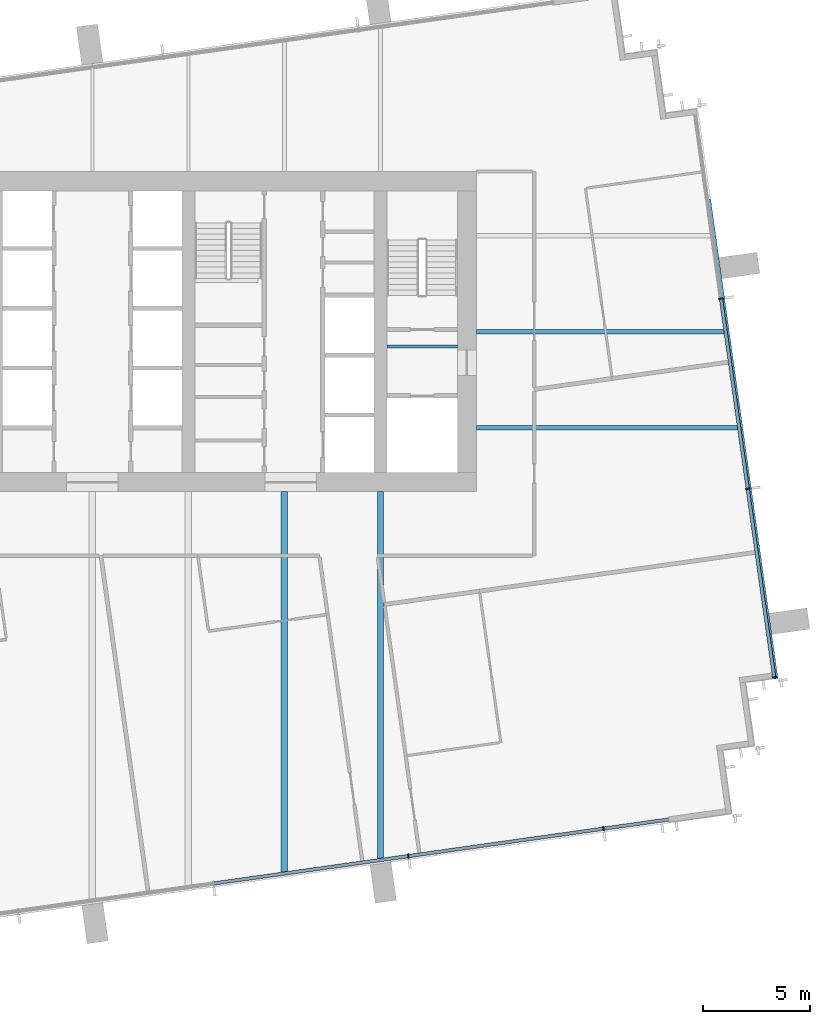
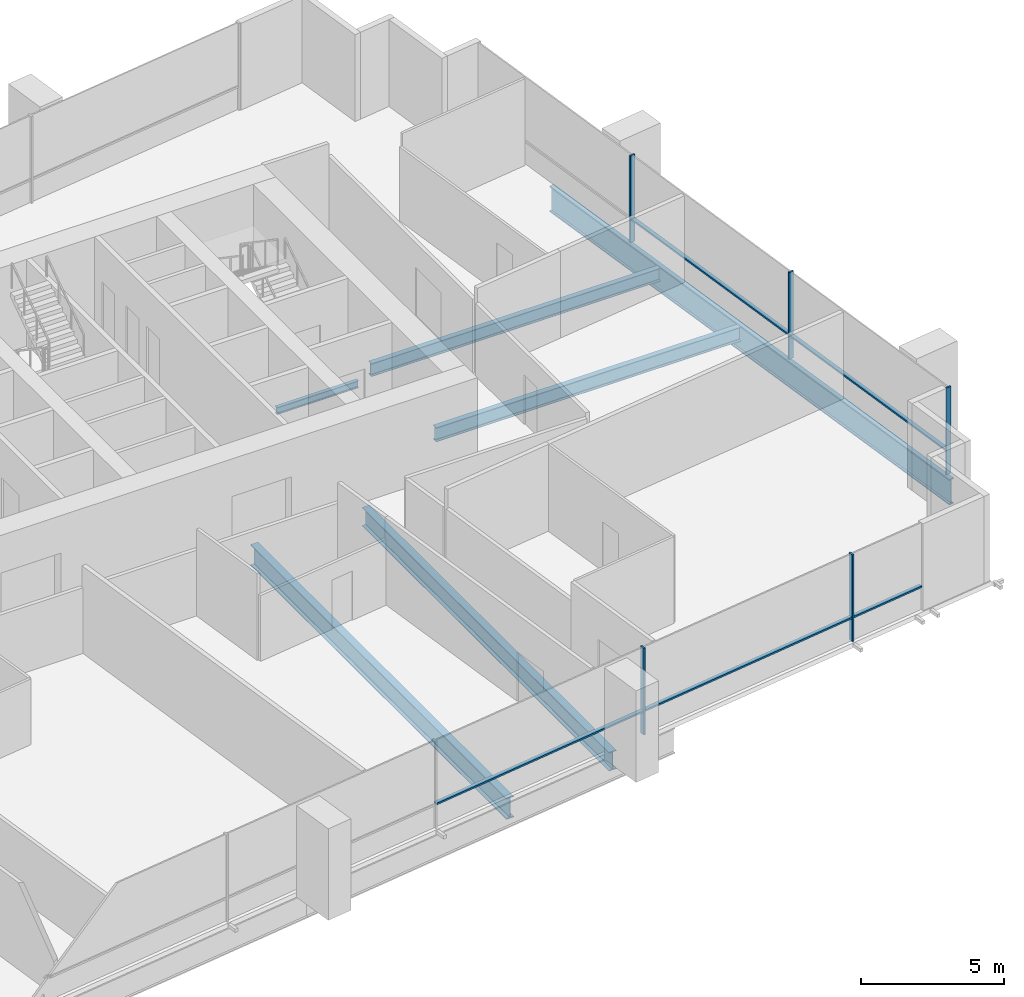
# One storey, part 5 of 13: 10 members, 6 beams, 2 elements without a shape of their own.
"""IFC4 building model written with IfcOpenShell, lengths in metres."""

from ifc_helpers import new_model, si_unit, direction, frame, origin, origin_2d, place, context, subcontext, project, spatial, rectangle, i_section, extrude, material, layer, layer_set, material_profile, profile_set, type_object, element, aggregate, save


model = new_model("IFC4")

# Units and contexts
model_context = context("Model", 3, precision=1e-05, world=origin(), true_north=direction((0.0, 1.0)))
body_context = subcontext(model_context, "Body", "Model", "MODEL_VIEW")
ifc_project = project(units=[si_unit("LENGTHUNIT", "METRE"), si_unit("AREAUNIT", "SQUARE_METRE"), si_unit("VOLUMEUNIT", "CUBIC_METRE"), si_unit("PLANEANGLEUNIT", "RADIAN"), si_unit("MASSUNIT", "GRAM", prefix="KILO")], contexts=[model_context])

# Site, building, storey
site_placement = place(None, origin())
site = spatial("IfcSite", under=ifc_project, at=site_placement, CompositionType="ELEMENT")
building_placement = place(site_placement, origin())
building = spatial("IfcBuilding", under=site, at=building_placement, Name="Rattan Terrace Tower", CompositionType="ELEMENT")
storey_placement = place(building_placement, frame((0.0, 0.0, 240.800048828125)))
storey = spatial("IfcBuildingStorey", under=building, at=storey_placement, Name="L55", CompositionType="ELEMENT", Elevation=240.800048828125)

# Beams
ifc_material_1 = material(Name="Steel S460", Category="steel")
ifc_material_profile_1 = material_profile(ifc_material_1, i_section(OverallWidth=0.179931640625, OverallDepth=1.10009765625, WebThickness=0.01611328125, FlangeThickness=0.050048828125, at=origin_2d()), Name="PG 1100x180-16-50")
ifc_profile_set_1 = profile_set([ifc_material_profile_1], Name="Steel S460")
beam_type_1 = type_object("IfcBeamType", Name="Frame edge girder PG 1100x180-16-50", PredefinedType="SPANDREL", material=ifc_profile_set_1)
beam_1_placement = place(storey_placement, frame((28.883056640625, 6.18505859375, -0.75), z_axis=(0.139138162292, -0.990272978423, 0.0), x_axis=(0.990272978423, 0.139138162292, 0.0)))
element("IfcBeam", 1, at=beam_1_placement, inside=storey, type_object=beam_type_1, Name="gdr-L55-004", PredefinedType="SPANDREL", context=body_context, shape_type="SweptSolid", body=[
    extrude(i_section(OverallWidth=0.179931640625, OverallDepth=1.10009765625, WebThickness=0.01611328125, FlangeThickness=0.050048828125, at=origin_2d()), origin(), (0.0, 0.0, 1.0), 22.66845703125),
])
ifc_material_2 = material(Name="Steel S355", Category="steel")
ifc_material_profile_2 = material_profile(ifc_material_2, i_section(OverallWidth=0.300048828125, OverallDepth=0.800048828125, WebThickness=0.017578125, FlangeThickness=0.032958984375, FilletRadius=0.030029296875, at=origin_2d()), Name="HE 800 B")
ifc_profile_set_2 = profile_set([ifc_material_profile_2], Name="Steel S355")
beam_type_2 = type_object("IfcBeamType", Name="Frame floor beam HE 800 B", PredefinedType="JOIST", material=ifc_profile_set_2)
beam_2_placement = place(storey_placement, frame((13.5, -24.72509765625, -0.60009765625), z_axis=(0.0, 1.0, 0.0), x_axis=(-1.0, 0.0, 0.0)))
element("IfcBeam", 2, at=beam_2_placement, inside=storey, type_object=beam_type_2, Name="bm-L55-008", PredefinedType="JOIST", context=body_context, shape_type="SweptSolid", body=[
    extrude(i_section(OverallWidth=0.300048828125, OverallDepth=0.800048828125, WebThickness=0.017578125, FlangeThickness=0.032958984375, FilletRadius=0.030029296875, at=origin_2d()), origin(), (0.0, 0.0, 1.0), 17.22509765625),
])
ifc_material_3 = material(Name="Steel S355", Category="steel")
ifc_material_profile_3 = material_profile(ifc_material_3, i_section(OverallWidth=0.300048828125, OverallDepth=0.89990234375, WebThickness=0.0185546875, FlangeThickness=0.034912109375, FilletRadius=0.030029296875, at=origin_2d()), Name="HE 900 B")
ifc_profile_set_3 = profile_set([ifc_material_profile_3], Name="Steel S355")
beam_type_3 = type_object("IfcBeamType", Name="Frame floor beam HE 900 B", PredefinedType="JOIST", material=ifc_profile_set_3)
beam_3_placement = place(storey_placement, frame((9.0, -25.35693359375, -0.650146484375), z_axis=(0.0, 1.0, 0.0), x_axis=(-1.0, 0.0, 0.0)))
element("IfcBeam", 3, at=beam_3_placement, inside=storey, type_object=beam_type_3, Name="bm-L55-007", PredefinedType="JOIST", context=body_context, shape_type="SweptSolid", body=[
    extrude(i_section(OverallWidth=0.300048828125, OverallDepth=0.89990234375, WebThickness=0.0185546875, FlangeThickness=0.034912109375, FilletRadius=0.030029296875, at=origin_2d()), origin(), (0.0, 0.0, 1.0), 17.85693359375),
])
ifc_material_4 = material(Name="Steel S355", Category="steel")
ifc_material_profile_4 = material_profile(ifc_material_4, i_section(OverallWidth=0.14990234375, OverallDepth=0.300048828125, WebThickness=0.007080078125, FlangeThickness=0.0107421875, FilletRadius=0.014892578125, at=origin_2d()), Name="IPE 300")
ifc_profile_set_4 = profile_set([ifc_material_profile_4], Name="Steel S355")
beam_type_4 = type_object("IfcBeamType", Name="Frame floor beam IPE 300", PredefinedType="JOIST", material=ifc_profile_set_4)
beam_4_placement = place(storey_placement, frame((13.800048828125, -0.695068359375, -0.35009765625), z_axis=(1.0, 0.0, 0.0), x_axis=(0.0, 1.0, 0.0)))
element("IfcBeam", 4, at=beam_4_placement, inside=storey, type_object=beam_type_4, Name="bm-L55-002", PredefinedType="JOIST", context=body_context, shape_type="SweptSolid", body=[
    extrude(i_section(OverallWidth=0.14990234375, OverallDepth=0.300048828125, WebThickness=0.007080078125, FlangeThickness=0.0107421875, FilletRadius=0.014892578125, at=origin_2d()), origin(), (0.0, 0.0, 1.0), 3.300048828125),
])
ifc_material_5 = material(Name="Steel S355", Category="steel")
ifc_material_profile_5 = material_profile(ifc_material_5, i_section(OverallWidth=0.2099609375, OverallDepth=0.550048828125, WebThickness=0.010986328125, FlangeThickness=0.01708984375, FilletRadius=0.02392578125, at=origin_2d()), Name="IPE 550")
ifc_profile_set_5 = profile_set([ifc_material_profile_5], Name="Steel S355")
beam_type_5 = type_object("IfcBeamType", Name="Frame floor beam IPE 550", PredefinedType="JOIST", material=ifc_profile_set_5)
beam_5_placement = place(storey_placement, frame((18.0, 0.0, -0.47509765625), z_axis=(1.0, 0.0, 0.0), x_axis=(0.0, 1.0, 0.0)))
element("IfcBeam", 5, at=beam_5_placement, inside=storey, type_object=beam_type_5, Name="bm-L55-012", PredefinedType="JOIST", context=body_context, shape_type="SweptSolid", body=[
    extrude(i_section(OverallWidth=0.2099609375, OverallDepth=0.550048828125, WebThickness=0.010986328125, FlangeThickness=0.01708984375, FilletRadius=0.02392578125, at=origin_2d()), origin(), (0.0, 0.0, 1.0), 11.64599609375),
])
ifc_material_6 = material(Name="Steel S355", Category="steel")
ifc_material_profile_6 = material_profile(ifc_material_6, i_section(OverallWidth=0.219970703125, OverallDepth=0.60009765625, WebThickness=0.011962890625, FlangeThickness=0.01904296875, FilletRadius=0.02392578125, at=origin_2d()), Name="IPE 600")
ifc_profile_set_6 = profile_set([ifc_material_profile_6], Name="Steel S355")
beam_type_6 = type_object("IfcBeamType", Name="Frame floor beam IPE 600", PredefinedType="JOIST", material=ifc_profile_set_6)
beam_6_placement = place(storey_placement, frame((18.0, -4.5, -0.5), z_axis=(1.0, 0.0, 0.0), x_axis=(0.0, 1.0, 0.0)))
element("IfcBeam", 6, at=beam_6_placement, inside=storey, type_object=beam_type_6, Name="bm-L55-010", PredefinedType="JOIST", context=body_context, shape_type="SweptSolid", body=[
    extrude(i_section(OverallWidth=0.219970703125, OverallDepth=0.60009765625, WebThickness=0.011962890625, FlangeThickness=0.01904296875, FilletRadius=0.02392578125, at=origin_2d()), origin(), (0.0, 0.0, 1.0), 12.278076171875),
])

# Curtain wall, members
ifc_material_7 = material(Name="Aluminium and laminated glass", Category="aluminium")
ifc_layer = layer(ifc_material_7, 0.199951171875)
ifc_layer_set = layer_set([ifc_layer], Name="High-Zone Unitised Curtain Wall")
curtain_wall_type = type_object("IfcCurtainWallType", Name="High-Zone Unitised Curtain Wall", PredefinedType="NOTDEFINED", material=ifc_layer_set)
curtain_wall_1_placement = place(storey_placement, origin())
curtain_wall_1 = element("IfcCurtainWall", 7, at=curtain_wall_1_placement, inside=storey, type_object=curtain_wall_type, Name="High-zone curtain wall L55-1", PredefinedType="NOTDEFINED")
ifc_material_8 = material(Name="Aluminium", Category="aluminium")
ifc_material_profile_7 = material_profile(ifc_material_8, rectangle(XDim=0.070068359375, YDim=0.199951171875, at=origin_2d()), Name="Aluminium 70x200")
ifc_profile_set_7 = profile_set([ifc_material_profile_7], Name="Aluminium")
member_type_1 = type_object("IfcMemberType", Name="High-Zone CW Mullion 70x200", PredefinedType="MULLION", material=ifc_profile_set_7)
member_1_placement = place(storey_placement, frame((31.946533203125, -16.1943359375, 0.0), z_axis=(0.0, 0.0, 1.0), x_axis=(-0.139186165309, 0.990266232579, 0.0)))
member_1 = element("IfcMember", 8, at=member_1_placement, type_object=member_type_1, Name="Mullion cwl-L55-001.1", PredefinedType="MULLION", context=body_context, shape_type="SweptSolid", body=[
    extrude(rectangle(XDim=0.070068359375, YDim=0.199951171875, at=origin_2d()), origin(), (0.0, 0.0, 1.0), 3.699951171875),
])
member_2_placement = place(storey_placement, frame((30.705078125, -7.361328125, 0.0), z_axis=(0.0, 0.0, 1.0), x_axis=(-0.139186165309, 0.990266232579, 0.0)))
member_2 = element("IfcMember", 9, at=member_2_placement, type_object=member_type_1, Name="Mullion cwl-L55-001.2", PredefinedType="MULLION", context=body_context, shape_type="SweptSolid", body=[
    extrude(rectangle(XDim=0.070068359375, YDim=0.199951171875, at=origin_2d()), origin(), (0.0, 0.0, 1.0), 3.699951171875),
])
member_3_placement = place(storey_placement, frame((29.452392578125, 1.551025390625, 0.0), z_axis=(0.0, 0.0, 1.0), x_axis=(-0.139186165309, 0.990266232579, 0.0)))
member_3 = element("IfcMember", 10, at=member_3_placement, type_object=member_type_1, Name="Mullion cwl-L55-001.3", PredefinedType="MULLION", context=body_context, shape_type="SweptSolid", body=[
    extrude(rectangle(XDim=0.070068359375, YDim=0.199951171875, at=origin_2d()), origin(), (0.0, 0.0, 1.0), 3.699951171875),
])

curtain_wall_2_placement = place(storey_placement, origin())
curtain_wall_2 = element("IfcCurtainWall", 11, at=curtain_wall_2_placement, inside=storey, type_object=curtain_wall_type, Name="High-zone curtain wall L55-4", PredefinedType="NOTDEFINED")
member_4_placement = place(storey_placement, frame((14.808837890625, -24.571533203125, 0.0), z_axis=(0.0, 0.0, 1.0), x_axis=(0.990267457022, 0.139177453499, 0.0)))
member_4 = element("IfcMember", 12, at=member_4_placement, type_object=member_type_1, Name="Mullion cwl-L55-004.4", PredefinedType="MULLION", context=body_context, shape_type="SweptSolid", body=[
    extrude(rectangle(XDim=0.070068359375, YDim=0.199951171875, at=origin_2d()), origin(), (0.0, 0.0, 1.0), 3.699951171875),
])
member_5_placement = place(storey_placement, frame((23.949951171875, -23.28662109375, 0.0), z_axis=(0.0, 0.0, 1.0), x_axis=(0.990267457022, 0.139177453499, 0.0)))
member_5 = element("IfcMember", 13, at=member_5_placement, type_object=member_type_1, Name="Mullion cwl-L55-004.5", PredefinedType="MULLION", context=body_context, shape_type="SweptSolid", body=[
    extrude(rectangle(XDim=0.070068359375, YDim=0.199951171875, at=origin_2d()), origin(), (0.0, 0.0, 1.0), 3.699951171875),
])

# Member
ifc_material_9 = material(Name="Aluminium", Category="aluminium")
ifc_material_profile_8 = material_profile(ifc_material_9, rectangle(XDim=0.159912109375, YDim=0.070068359375, at=origin_2d()), Name="Aluminium 160x70")
ifc_profile_set_8 = profile_set([ifc_material_profile_8], Name="Aluminium")
member_type_2 = type_object("IfcMemberType", Name="High-Zone CW Transom 160x70", PredefinedType="USERDEFINED", material=ifc_profile_set_8)
member_6_placement = place(storey_placement, frame((31.941650390625, -16.159912109375, 1.0), z_axis=(-0.139173253985, 0.990268047235, 0.0), x_axis=(-0.990268047235, -0.139173253985, 0.0)))
member_6 = element("IfcMember", 14, at=member_6_placement, type_object=member_type_2, Name="Transom cwl-L55-001.1", ObjectType="TRANSOM", PredefinedType="USERDEFINED", context=body_context, shape_type="SweptSolid", body=[
    extrude(rectangle(XDim=0.159912109375, YDim=0.070068359375, at=origin_2d()), origin(), (0.0, 0.0, 1.0), 8.85009765625),
])

member_7_placement = place(storey_placement, frame((30.7001953125, -7.32666015625, 1.0), z_axis=(-0.139185713085, 0.990266296141, 0.0), x_axis=(-0.990266296141, -0.139185713085, 0.0)))
member_7 = element("IfcMember", 15, at=member_7_placement, type_object=member_type_2, Name="Transom cwl-L55-001.2", ObjectType="TRANSOM", PredefinedType="USERDEFINED", context=body_context, shape_type="SweptSolid", body=[
    extrude(rectangle(XDim=0.159912109375, YDim=0.070068359375, at=origin_2d()), origin(), (0.0, 0.0, 1.0), 8.929931640625),
])

aggregate(curtain_wall_1, [member_1, member_2, member_3, member_6, member_7])

member_8_placement = place(storey_placement, frame((5.702392578125, -25.851318359375, 1.0), z_axis=(0.990265190222, 0.139193581154, 0.0), x_axis=(-0.139193581154, 0.990265190222, 0.0)))
member_8 = element("IfcMember", 16, at=member_8_placement, type_object=member_type_2, Name="Transom cwl-L55-004.3", ObjectType="TRANSOM", PredefinedType="USERDEFINED", context=body_context, shape_type="SweptSolid", body=[
    extrude(rectangle(XDim=0.159912109375, YDim=0.070068359375, at=origin_2d()), origin(), (0.0, 0.0, 1.0), 9.160888671875),
])

member_9_placement = place(storey_placement, frame((14.843505859375, -24.566650390625, 1.0), z_axis=(0.990265190222, 0.139193581154, 0.0), x_axis=(-0.139193581154, 0.990265190222, 0.0)))
member_9 = element("IfcMember", 17, at=member_9_placement, type_object=member_type_2, Name="Transom cwl-L55-004.4", ObjectType="TRANSOM", PredefinedType="USERDEFINED", context=body_context, shape_type="SweptSolid", body=[
    extrude(rectangle(XDim=0.159912109375, YDim=0.070068359375, at=origin_2d()), origin(), (0.0, 0.0, 1.0), 9.160888671875),
])

member_10_placement = place(storey_placement, frame((23.984619140625, -23.28173828125, 1.0), z_axis=(0.990269723995, 0.139161322712, 0.0), x_axis=(-0.139161322712, 0.990269723995, 0.0)))
member_10 = element("IfcMember", 18, at=member_10_placement, type_object=member_type_2, Name="Transom cwl-L55-004.5", ObjectType="TRANSOM", PredefinedType="USERDEFINED", context=body_context, shape_type="SweptSolid", body=[
    extrude(rectangle(XDim=0.159912109375, YDim=0.070068359375, at=origin_2d()), origin(), (0.0, 0.0, 1.0), 3.040283203125),
])

aggregate(curtain_wall_2, [member_4, member_5, member_8, member_9, member_10])

save(model, "model.ifc")
